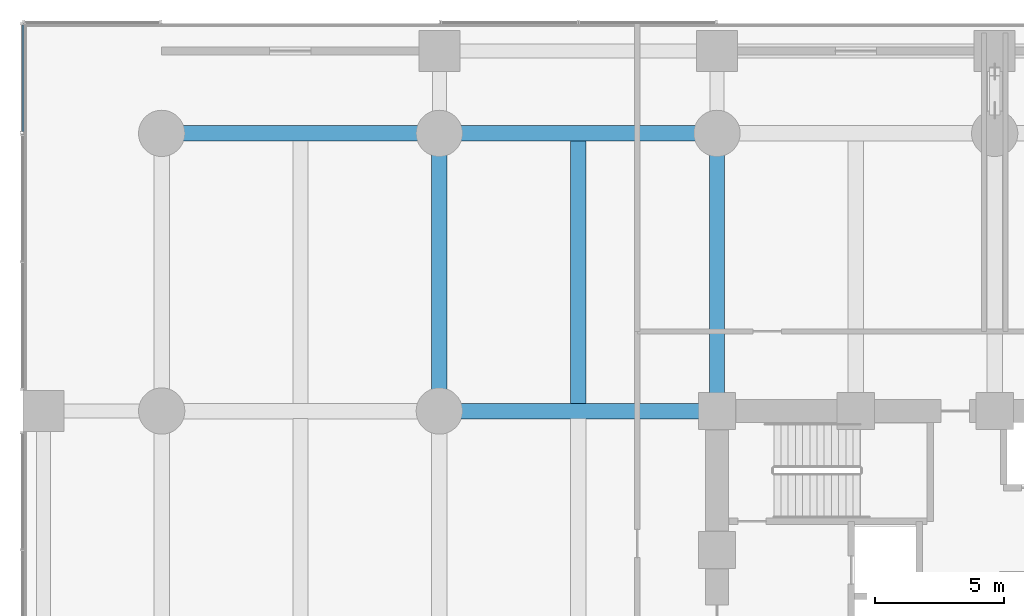
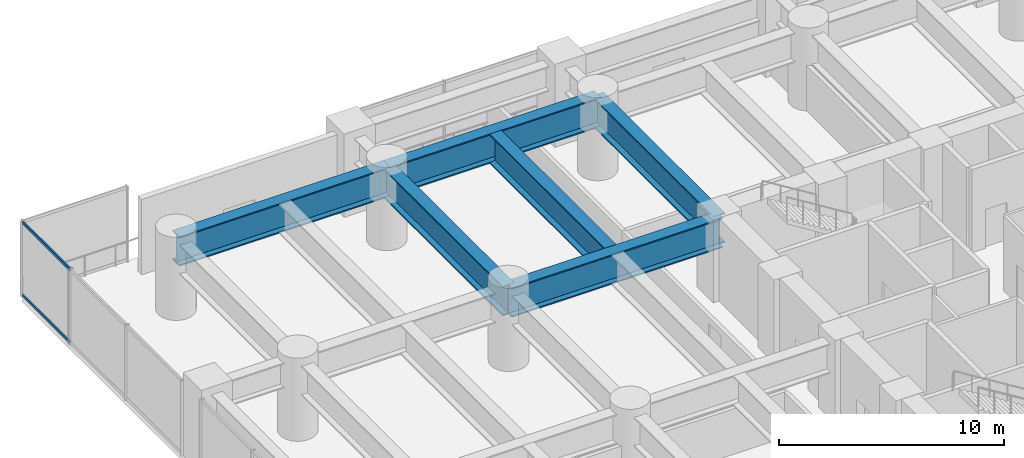
# One storey, part 13 of 37: 6 beams, 2 members, 1 element without a shape of its own.
"""IFC4 building model written with IfcOpenShell, lengths in metres."""

from ifc_helpers import new_model, si_unit, direction, frame, origin, origin_2d, place, context, subcontext, project, spatial, hollow_rectangle, i_section, extrude, material, layer, layer_set, material_profile, profile_set, type_object, element, aggregate, save


model = new_model("IFC4")

# Units and contexts
model_context = context("Model", 3, precision=1e-05, world=origin(), true_north=direction((0.0, 1.0)))
body_context = subcontext(model_context, "Body", "Model", "MODEL_VIEW")
ifc_project = project(units=[si_unit("LENGTHUNIT", "METRE"), si_unit("AREAUNIT", "SQUARE_METRE"), si_unit("VOLUMEUNIT", "CUBIC_METRE"), si_unit("PLANEANGLEUNIT", "RADIAN"), si_unit("MASSUNIT", "GRAM", prefix="KILO")], contexts=[model_context])

# Site, building, storey
site_placement = place(None, origin())
site = spatial("IfcSite", under=ifc_project, at=site_placement, CompositionType="ELEMENT")
building_placement = place(site_placement, origin())
building = spatial("IfcBuilding", under=site, at=building_placement, Name="Surkhivell Harbour Commons", CompositionType="ELEMENT")
storey_placement = place(building_placement, frame((0.0, 0.0, 18.0)))
storey = spatial("IfcBuildingStorey", under=building, at=storey_placement, Name="L04", CompositionType="ELEMENT", Elevation=18.0)

# Beams
ifc_material_1 = material(Name="Steel S460", Category="steel")
ifc_material_profile_1 = material_profile(ifc_material_1, i_section(OverallWidth=0.60009765625, OverallDepth=1.60009765625, WebThickness=0.035888671875, FlangeThickness=0.06494140625, at=origin_2d()), Name="WPG1600x600x296")
ifc_profile_set_1 = profile_set([ifc_material_profile_1], Name="Steel S460")
beam_type = type_object("IfcBeamType", Name="BM-TRF-1600", PredefinedType="BEAM", material=ifc_profile_set_1)
beam_1_placement = place(storey_placement, frame((-32.39990234375, 21.60009765625, 3.280029296875), z_axis=(1.0, 0.0, 0.0), x_axis=(0.0, 1.0, 0.0)))
element("IfcBeam", 1, at=beam_1_placement, inside=storey, type_object=beam_type, Name="L04 Transfer Girder (-32.4,21.6)", PredefinedType="BEAM", context=body_context, shape_type="SweptSolid", body=[
    extrude(i_section(OverallWidth=0.60009765625, OverallDepth=1.60009765625, WebThickness=0.035888671875, FlangeThickness=0.06494140625, at=origin_2d()), origin(), (0.0, 0.0, 1.0), 10.7998046875),
])
for number, where, z_axis, x_axis, name in (
    (2, (-21.60009765625, 10.800048828125, 3.280029296875), (0.0, 1.0, 0.0), (-1.0, 0.0, 0.0), "L04 Transfer Girder (-21.6,10.8)"),
    (3, (-21.60009765625, 10.800048828125, 3.280029296875), (1.0, 0.0, 0.0), (0.0, 1.0, 0.0), "L04 Transfer Girder (-21.6,10.8)"),
    (4, (-21.60009765625, 21.60009765625, 3.280029296875), (1.0, 0.0, 0.0), (0.0, 1.0, 0.0), "L04 Transfer Girder (-21.6,21.6)"),
    (5, (-10.800048828125, 10.800048828125, 3.280029296875), (0.0, 1.0, 0.0), (-1.0, 0.0, 0.0), "L04 Transfer Girder (-10.8,10.8)"),
):
    element("IfcBeam", number, at=place(storey_placement, frame(where, z_axis=z_axis, x_axis=x_axis)), inside=storey, type_object=beam_type, Name=name, PredefinedType="BEAM", context=body_context, shape_type="SweptSolid", body=[
        extrude(i_section(OverallWidth=0.60009765625, OverallDepth=1.60009765625, WebThickness=0.035888671875, FlangeThickness=0.06494140625, at=origin_2d()), origin(), (0.0, 0.0, 1.0), 10.800048828125),
    ])
beam_2_placement = place(storey_placement, frame((-16.199951171875, 11.097900390625, 3.280029296875), z_axis=(0.0, 1.0, 0.0), x_axis=(-1.0, 0.0, 0.0)))
element("IfcBeam", 6, at=beam_2_placement, inside=storey, type_object=beam_type, Name="L04 Secondary Transfer Girder (-16.2,10.8)", PredefinedType="BEAM", context=body_context, shape_type="SweptSolid", body=[
    extrude(i_section(OverallWidth=0.60009765625, OverallDepth=1.60009765625, WebThickness=0.035888671875, FlangeThickness=0.06494140625, at=origin_2d()), origin(), (0.0, 0.0, 1.0), 10.2041015625),
])

# Curtain wall, members
ifc_material_2 = material(Name="Anodised pale-metal aluminium and insulated glazing", Category="aluminium")
ifc_layer = layer(ifc_material_2, 0.239990234375)
ifc_layer_set = layer_set([ifc_layer], Name="Anodised pale-metal aluminium and insulated glazing")
curtain_wall_type = type_object("IfcCurtainWallType", Name="CW-SYS-POD", PredefinedType="NOTDEFINED", material=ifc_layer_set)
curtain_wall_placement = place(storey_placement, origin())
curtain_wall = element("IfcCurtainWall", 7, at=curtain_wall_placement, inside=storey, type_object=curtain_wall_type, Name="L04 Curtain Wall CW-L04-W6", PredefinedType="NOTDEFINED")
ifc_material_3 = material(Name="Anodised pale-metal aluminium alloy 6063-T6", Category="aluminium")
ifc_material_profile_2 = material_profile(ifc_material_3, hollow_rectangle(XDim=0.074951171875, YDim=0.14990234375, WallThickness=0.00341796875, at=origin_2d()), Name="ALU-TRAN-75x150")
ifc_profile_set_2 = profile_set([ifc_material_profile_2], Name="Anodised pale-metal aluminium alloy 6063-T6")
member_type = type_object("IfcMemberType", Name="CWT-150", PredefinedType="USERDEFINED", material=ifc_profile_set_2)
member_1_placement = place(storey_placement, frame((-37.800048828125, 21.675048828125, 0.074951171875), z_axis=(0.0, 1.0, 0.0), x_axis=(-1.0, 0.0, 0.0)))
member_1 = element("IfcMember", 8, at=member_1_placement, type_object=member_type, Name="CW-POD transom 1.1", ObjectType="TRANSOM", PredefinedType="USERDEFINED", context=body_context, shape_type="SweptSolid", body=[
    extrude(hollow_rectangle(XDim=0.074951171875, YDim=0.14990234375, WallThickness=0.00341796875, at=origin_2d()), origin(), (0.0, 0.0, 1.0), 4.14990234375),
])
member_2_placement = place(storey_placement, frame((-37.800048828125, 21.675048828125, 4.0048828125), z_axis=(0.0, 1.0, 0.0), x_axis=(-1.0, 0.0, 0.0)))
member_2 = element("IfcMember", 9, at=member_2_placement, type_object=member_type, Name="CW-POD transom 1.2", ObjectType="TRANSOM", PredefinedType="USERDEFINED", context=body_context, shape_type="SweptSolid", body=[
    extrude(hollow_rectangle(XDim=0.074951171875, YDim=0.14990234375, WallThickness=0.00341796875, at=origin_2d()), origin(), (0.0, 0.0, 1.0), 4.14990234375),
])
aggregate(curtain_wall, [member_1, member_2])

save(model, "model.ifc")
